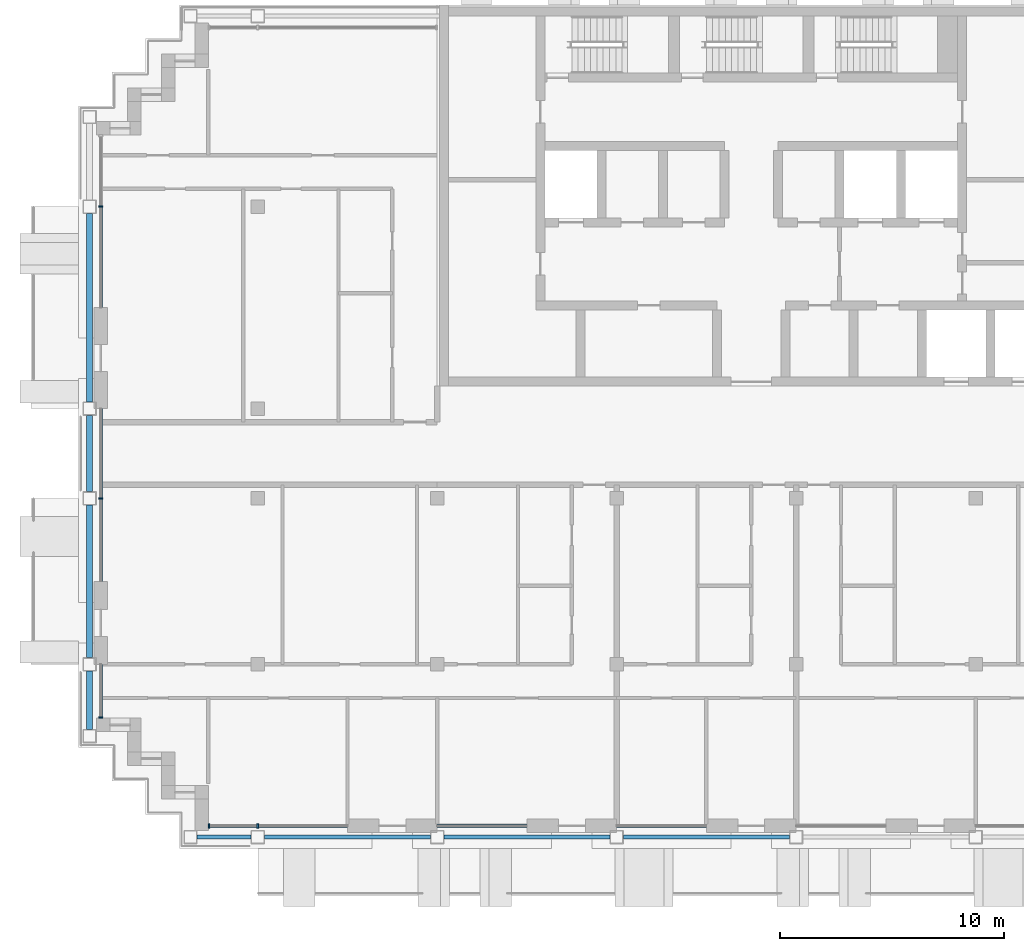
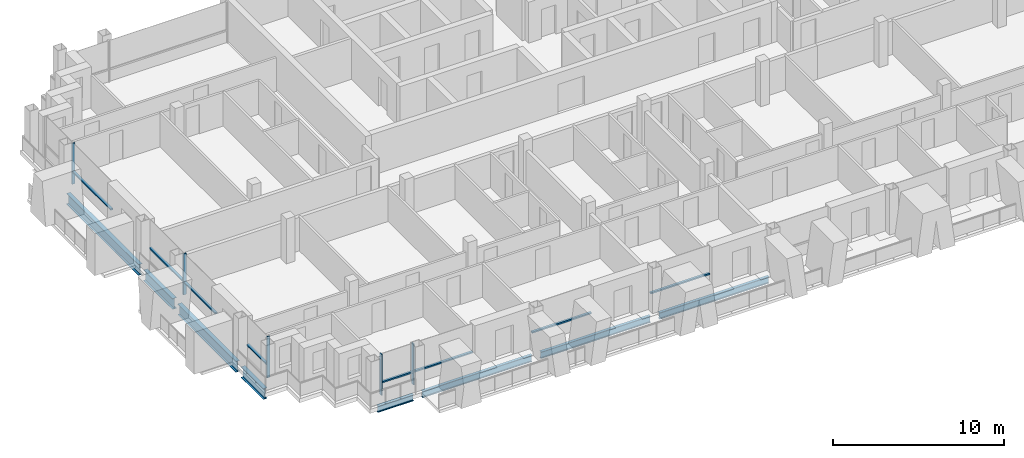
# One storey, part 2 of 16: 13 members, 8 beams, 6 elements without a shape of their own.
"""IFC4 building model written with IfcOpenShell, lengths in metres."""

from ifc_helpers import new_model, si_unit, direction, frame, origin, origin_2d, place, context, subcontext, project, spatial, rectangle, i_section, extrude, material, material_profile, profile_set, type_object, element, aggregate, save


model = new_model("IFC4")

# Units and contexts
model_context = context("Model", 3, precision=1e-05, world=origin(), true_north=direction((0.0, 1.0)))
body_context = subcontext(model_context, "Body", "Model", "MODEL_VIEW")
ifc_project = project(units=[si_unit("LENGTHUNIT", "METRE"), si_unit("AREAUNIT", "SQUARE_METRE"), si_unit("VOLUMEUNIT", "CUBIC_METRE"), si_unit("PLANEANGLEUNIT", "RADIAN"), si_unit("MASSUNIT", "GRAM", prefix="KILO")], contexts=[model_context])

# Site, building, storey
site_placement = place(None, origin())
site = spatial("IfcSite", under=ifc_project, at=site_placement, CompositionType="ELEMENT")
building_placement = place(site_placement, origin())
building = spatial("IfcBuilding", under=site, at=building_placement, Name="Vidyagriha Tower", CompositionType="ELEMENT")
storey_placement = place(building_placement, frame((0.0, 0.0, 217.199951171875)))
storey = spatial("IfcBuildingStorey", under=building, at=storey_placement, Name="L56", CompositionType="ELEMENT", Elevation=217.199951171875)

# Beams
ifc_material_1 = material(Name="Steel ASTM A992 Grade 50", Category="steel")
ifc_material_profile_1 = material_profile(ifc_material_1, i_section(OverallWidth=0.2666015625, OverallDepth=0.76953125, WebThickness=0.015625, FlangeThickness=0.025390625, at=origin_2d()), Name="W30X132")
ifc_profile_set_1 = profile_set([ifc_material_profile_1], Name="Steel ASTM A992 Grade 50")
beam_type_1 = type_object("IfcBeamType", Name="Cantilever edge beam W30X132", PredefinedType="SPANDREL", material=ifc_profile_set_1)
beam_1_placement = place(storey_placement, frame((-29.5, -12.300048828125, -0.664794921875), z_axis=(0.0, 1.0, 0.0), x_axis=(-1.0, 0.0, 0.0)))
element("IfcBeam", 1, at=beam_1_placement, inside=storey, type_object=beam_type_1, Name="st-beam-L56-W08", PredefinedType="SPANDREL", context=body_context, shape_type="SweptSolid", body=[
    extrude(i_section(OverallWidth=0.2666015625, OverallDepth=0.76953125, WebThickness=0.015625, FlangeThickness=0.025390625, at=origin_2d()), origin(), (0.0, 0.0, 1.0), 2.60009765625),
])
beam_2_placement = place(storey_placement, frame((-29.5, -9.10009765625, -0.664794921875), z_axis=(0.0, 1.0, 0.0), x_axis=(-1.0, 0.0, 0.0)))
element("IfcBeam", 2, at=beam_2_placement, inside=storey, type_object=beam_type_1, Name="st-beam-L56-W09", PredefinedType="SPANDREL", context=body_context, shape_type="SweptSolid", body=[
    extrude(i_section(OverallWidth=0.2666015625, OverallDepth=0.76953125, WebThickness=0.015625, FlangeThickness=0.025390625, at=origin_2d()), origin(), (0.0, 0.0, 1.0), 6.800048828125),
])
beam_3_placement = place(storey_placement, frame((-29.5, -1.699951171875, -0.664794921875), z_axis=(0.0, 1.0, 0.0), x_axis=(-1.0, 0.0, 0.0)))
element("IfcBeam", 3, at=beam_3_placement, inside=storey, type_object=beam_type_1, Name="st-beam-L56-W10", PredefinedType="SPANDREL", context=body_context, shape_type="SweptSolid", body=[
    extrude(i_section(OverallWidth=0.2666015625, OverallDepth=0.76953125, WebThickness=0.015625, FlangeThickness=0.025390625, at=origin_2d()), origin(), (0.0, 0.0, 1.0), 3.39990234375),
])
beam_4_placement = place(storey_placement, frame((-29.5, 2.300048828125, -0.664794921875), z_axis=(0.0, 1.0, 0.0), x_axis=(-1.0, 0.0, 0.0)))
element("IfcBeam", 4, at=beam_4_placement, inside=storey, type_object=beam_type_1, Name="st-beam-L56-W11", PredefinedType="SPANDREL", context=body_context, shape_type="SweptSolid", body=[
    extrude(i_section(OverallWidth=0.2666015625, OverallDepth=0.76953125, WebThickness=0.015625, FlangeThickness=0.025390625, at=origin_2d()), origin(), (0.0, 0.0, 1.0), 8.39990234375),
])
ifc_material_2 = material(Name="Steel ASTM A992 Grade 50", Category="steel")
ifc_material_profile_2 = material_profile(ifc_material_2, i_section(OverallWidth=0.19189453125, OverallDepth=0.46240234375, WebThickness=0.010498046875, FlangeThickness=0.017578125, at=origin_2d()), Name="W18X60")
ifc_profile_set_2 = profile_set([ifc_material_profile_2], Name="Steel ASTM A992 Grade 50")
beam_type_2 = type_object("IfcBeamType", Name="Edge beam W18X60", PredefinedType="SPANDREL", material=ifc_profile_set_2)
beam_5_placement = place(storey_placement, frame((-24.699951171875, -17.10009765625, -0.510986328125), z_axis=(1.0, 0.0, 0.0), x_axis=(0.0, 1.0, 0.0)))
element("IfcBeam", 5, at=beam_5_placement, inside=storey, type_object=beam_type_2, Name="st-beam-L56-S01", PredefinedType="SPANDREL", context=body_context, shape_type="SweptSolid", body=[
    extrude(i_section(OverallWidth=0.19189453125, OverallDepth=0.46240234375, WebThickness=0.010498046875, FlangeThickness=0.017578125, at=origin_2d()), origin(), (0.0, 0.0, 1.0), 2.39990234375),
])
for number, where, z_axis, x_axis, name in (
    (6, (-21.699951171875, -17.10009765625, -0.510986328125), (1.0, 0.0, 0.0), (0.0, 1.0, 0.0), "st-beam-L56-S02"),
    (7, (-13.699951171875, -17.10009765625, -0.510986328125), (1.0, 0.0, 0.0), (0.0, 1.0, 0.0), "st-beam-L56-S03"),
    (8, (-5.699951171875, -17.10009765625, -0.510986328125), (1.0, 0.0, 0.0), (0.0, 1.0, 0.0), "st-beam-L56-S04"),
):
    element("IfcBeam", number, at=place(storey_placement, frame(where, z_axis=z_axis, x_axis=x_axis)), inside=storey, type_object=beam_type_2, Name=name, PredefinedType="SPANDREL", context=body_context, shape_type="SweptSolid", body=[
        extrude(i_section(OverallWidth=0.19189453125, OverallDepth=0.46240234375, WebThickness=0.010498046875, FlangeThickness=0.017578125, at=origin_2d()), origin(), (0.0, 0.0, 1.0), 7.39990234375),
    ])

# Curtain wall, member
ifc_material_3 = material(Name="Aluminium and glass curtain wall", Category="aluminium")
curtain_wall_type = type_object("IfcCurtainWallType", Name="Dwelling skin unitised curtain wall", PredefinedType="USERDEFINED", material=ifc_material_3)
curtain_wall_1_placement = place(storey_placement, origin())
curtain_wall_1 = element("IfcCurtainWall", 9, at=curtain_wall_1_placement, inside=storey, type_object=curtain_wall_type, Name="CW1 dwelling skin", ObjectType="UNITISED", PredefinedType="USERDEFINED")
ifc_material_4 = material(Name="Aluminium black anodised", Category="aluminium")
ifc_material_profile_3 = material_profile(ifc_material_4, rectangle(XDim=0.199951171875, YDim=0.070068359375, at=origin_2d()), Name="Mullion 70x200 black aluminium")
ifc_profile_set_3 = profile_set([ifc_material_profile_3], Name="Aluminium black anodised")
member_type_1 = type_object("IfcMemberType", Name="Mullion 70x200 black aluminium", PredefinedType="MULLION", material=ifc_profile_set_3)
member_1_placement = place(storey_placement, frame((-29.0, 11.0, 0.0)))
member_1 = element("IfcMember", 10, at=member_1_placement, type_object=member_type_1, Name="CW1 mullion 2", PredefinedType="MULLION", context=body_context, shape_type="SweptSolid", body=[
    extrude(rectangle(XDim=0.199951171875, YDim=0.070068359375, at=origin_2d()), origin(), (0.0, 0.0, 1.0), 2.920166015625),
])

curtain_wall_2_placement = place(storey_placement, origin())
curtain_wall_2 = element("IfcCurtainWall", 11, at=curtain_wall_2_placement, inside=storey, type_object=curtain_wall_type, Name="CW1 dwelling skin", ObjectType="UNITISED", PredefinedType="USERDEFINED")
member_2_placement = place(storey_placement, frame((-29.0, -2.0, 0.0)))
member_2 = element("IfcMember", 12, at=member_2_placement, type_object=member_type_1, Name="CW1 mullion 2", PredefinedType="MULLION", context=body_context, shape_type="SweptSolid", body=[
    extrude(rectangle(XDim=0.199951171875, YDim=0.070068359375, at=origin_2d()), origin(), (0.0, 0.0, 1.0), 2.920166015625),
])

curtain_wall_3_placement = place(storey_placement, origin())
curtain_wall_3 = element("IfcCurtainWall", 13, at=curtain_wall_3_placement, inside=storey, type_object=curtain_wall_type, Name="CW1 dwelling skin", ObjectType="UNITISED", PredefinedType="USERDEFINED")
member_3_placement = place(storey_placement, frame((-29.0, -11.764892578125, 0.0)))
member_3 = element("IfcMember", 14, at=member_3_placement, type_object=member_type_1, Name="CW1 mullion 2", PredefinedType="MULLION", context=body_context, shape_type="SweptSolid", body=[
    extrude(rectangle(XDim=0.199951171875, YDim=0.070068359375, at=origin_2d()), origin(), (0.0, 0.0, 1.0), 2.920166015625),
])

# Curtain wall, members
curtain_wall_4_placement = place(storey_placement, origin())
curtain_wall_4 = element("IfcCurtainWall", 15, at=curtain_wall_4_placement, inside=storey, type_object=curtain_wall_type, Name="CW1 dwelling skin", ObjectType="UNITISED", PredefinedType="USERDEFINED")
member_4_placement = place(storey_placement, frame((-24.1650390625, -16.60009765625, 0.0), z_axis=(0.0, 0.0, 1.0), x_axis=(0.0, 1.0, 0.0)))
member_4 = element("IfcMember", 16, at=member_4_placement, type_object=member_type_1, Name="CW1 mullion 1", PredefinedType="MULLION", context=body_context, shape_type="SweptSolid", body=[
    extrude(rectangle(XDim=0.199951171875, YDim=0.070068359375, at=origin_2d()), origin(), (0.0, 0.0, 1.0), 2.920166015625),
])
member_5_placement = place(storey_placement, frame((-22.0, -16.60009765625, 0.0), z_axis=(0.0, 0.0, 1.0), x_axis=(0.0, 1.0, 0.0)))
member_5 = element("IfcMember", 17, at=member_5_placement, type_object=member_type_1, Name="CW1 mullion 2", PredefinedType="MULLION", context=body_context, shape_type="SweptSolid", body=[
    extrude(rectangle(XDim=0.199951171875, YDim=0.070068359375, at=origin_2d()), origin(), (0.0, 0.0, 1.0), 2.920166015625),
])

# Member
ifc_material_5 = material(Name="Aluminium black anodised", Category="aluminium")
ifc_material_profile_4 = material_profile(ifc_material_5, rectangle(XDim=0.159912109375, YDim=0.10009765625, at=origin_2d()), Name="Transom 100x160 black aluminium")
ifc_profile_set_4 = profile_set([ifc_material_profile_4], Name="Aluminium black anodised")
member_type_2 = type_object("IfcMemberType", Name="Transom 100x160 black aluminium", PredefinedType="USERDEFINED", material=ifc_profile_set_4)
member_6_placement = place(storey_placement, frame((-29.0, 10.965087890625, 0.900146484375), z_axis=(0.0, -1.0, 0.0), x_axis=(1.0, 0.0, 0.0)))
member_6 = element("IfcMember", 18, at=member_6_placement, type_object=member_type_2, Name="CW1 transom 2.1", ObjectType="TRANSOM", PredefinedType="USERDEFINED", context=body_context, shape_type="SweptSolid", body=[
    extrude(rectangle(XDim=0.159912109375, YDim=0.10009765625, at=origin_2d()), origin(), (0.0, 0.0, 1.0), 4.465087890625),
])

aggregate(curtain_wall_1, [member_1, member_6])

member_7_placement = place(storey_placement, frame((-29.0, 2.0, 0.900146484375), z_axis=(0.0, -1.0, 0.0), x_axis=(1.0, 0.0, 0.0)))
member_7 = element("IfcMember", 19, at=member_7_placement, type_object=member_type_2, Name="CW1 transom 1.1", ObjectType="TRANSOM", PredefinedType="USERDEFINED", context=body_context, shape_type="SweptSolid", body=[
    extrude(rectangle(XDim=0.159912109375, YDim=0.10009765625, at=origin_2d()), origin(), (0.0, 0.0, 1.0), 3.965087890625),
])

member_8_placement = place(storey_placement, frame((-29.0, -2.034912109375, 0.900146484375), z_axis=(0.0, -1.0, 0.0), x_axis=(1.0, 0.0, 0.0)))
member_8 = element("IfcMember", 20, at=member_8_placement, type_object=member_type_2, Name="CW1 transom 2.1", ObjectType="TRANSOM", PredefinedType="USERDEFINED", context=body_context, shape_type="SweptSolid", body=[
    extrude(rectangle(XDim=0.159912109375, YDim=0.10009765625, at=origin_2d()), origin(), (0.0, 0.0, 1.0), 3.6650390625),
])

aggregate(curtain_wall_2, [member_2, member_7, member_8])

member_9_placement = place(storey_placement, frame((-29.0, -9.39990234375, 0.900146484375), z_axis=(0.0, -1.0, 0.0), x_axis=(1.0, 0.0, 0.0)))
member_9 = element("IfcMember", 21, at=member_9_placement, type_object=member_type_2, Name="CW1 transom 1.1", ObjectType="TRANSOM", PredefinedType="USERDEFINED", context=body_context, shape_type="SweptSolid", body=[
    extrude(rectangle(XDim=0.159912109375, YDim=0.10009765625, at=origin_2d()), origin(), (0.0, 0.0, 1.0), 2.330078125),
])

aggregate(curtain_wall_3, [member_3, member_9])

member_10_placement = place(storey_placement, frame((-24.1298828125, -16.60009765625, 0.900146484375), z_axis=(1.0, 0.0, 0.0), x_axis=(0.0, 1.0, 0.0)))
member_10 = element("IfcMember", 22, at=member_10_placement, type_object=member_type_2, Name="CW1 transom 1.1", ObjectType="TRANSOM", PredefinedType="USERDEFINED", context=body_context, shape_type="SweptSolid", body=[
    extrude(rectangle(XDim=0.159912109375, YDim=0.10009765625, at=origin_2d()), origin(), (0.0, 0.0, 1.0), 2.094970703125),
])

member_11_placement = place(storey_placement, frame((-21.965087890625, -16.60009765625, 0.900146484375), z_axis=(1.0, 0.0, 0.0), x_axis=(0.0, 1.0, 0.0)))
member_11 = element("IfcMember", 23, at=member_11_placement, type_object=member_type_2, Name="CW1 transom 2.1", ObjectType="TRANSOM", PredefinedType="USERDEFINED", context=body_context, shape_type="SweptSolid", body=[
    extrude(rectangle(XDim=0.159912109375, YDim=0.10009765625, at=origin_2d()), origin(), (0.0, 0.0, 1.0), 3.965087890625),
])

aggregate(curtain_wall_4, [member_4, member_5, member_10, member_11])

# Curtain wall, member
curtain_wall_5_placement = place(storey_placement, origin())
curtain_wall_5 = element("IfcCurtainWall", 24, at=curtain_wall_5_placement, inside=storey, type_object=curtain_wall_type, Name="CW1 dwelling skin", ObjectType="UNITISED", PredefinedType="USERDEFINED")
member_12_placement = place(storey_placement, frame((-14.0, -16.60009765625, 0.900146484375), z_axis=(1.0, 0.0, 0.0), x_axis=(0.0, 1.0, 0.0)))
member_12 = element("IfcMember", 25, at=member_12_placement, type_object=member_type_2, Name="CW1 transom 1.1", ObjectType="TRANSOM", PredefinedType="USERDEFINED", context=body_context, shape_type="SweptSolid", body=[
    extrude(rectangle(XDim=0.159912109375, YDim=0.10009765625, at=origin_2d()), origin(), (0.0, 0.0, 1.0), 4.0),
])
aggregate(curtain_wall_5, [member_12])

curtain_wall_6_placement = place(storey_placement, origin())
curtain_wall_6 = element("IfcCurtainWall", 26, at=curtain_wall_6_placement, inside=storey, type_object=curtain_wall_type, Name="CW1 dwelling skin", ObjectType="UNITISED", PredefinedType="USERDEFINED")
member_13_placement = place(storey_placement, frame((-6.0, -16.60009765625, 0.900146484375), z_axis=(1.0, 0.0, 0.0), x_axis=(0.0, 1.0, 0.0)))
member_13 = element("IfcMember", 27, at=member_13_placement, type_object=member_type_2, Name="CW1 transom 1.1", ObjectType="TRANSOM", PredefinedType="USERDEFINED", context=body_context, shape_type="SweptSolid", body=[
    extrude(rectangle(XDim=0.159912109375, YDim=0.10009765625, at=origin_2d()), origin(), (0.0, 0.0, 1.0), 4.0),
])
aggregate(curtain_wall_6, [member_13])

save(model, "model.ifc")
